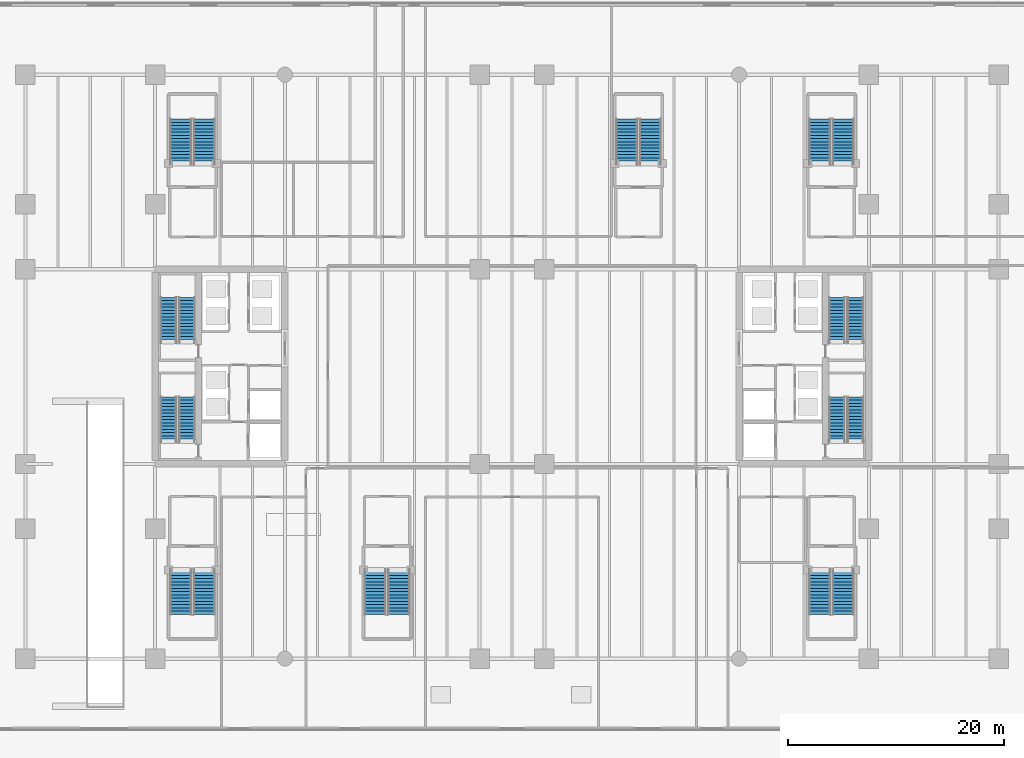
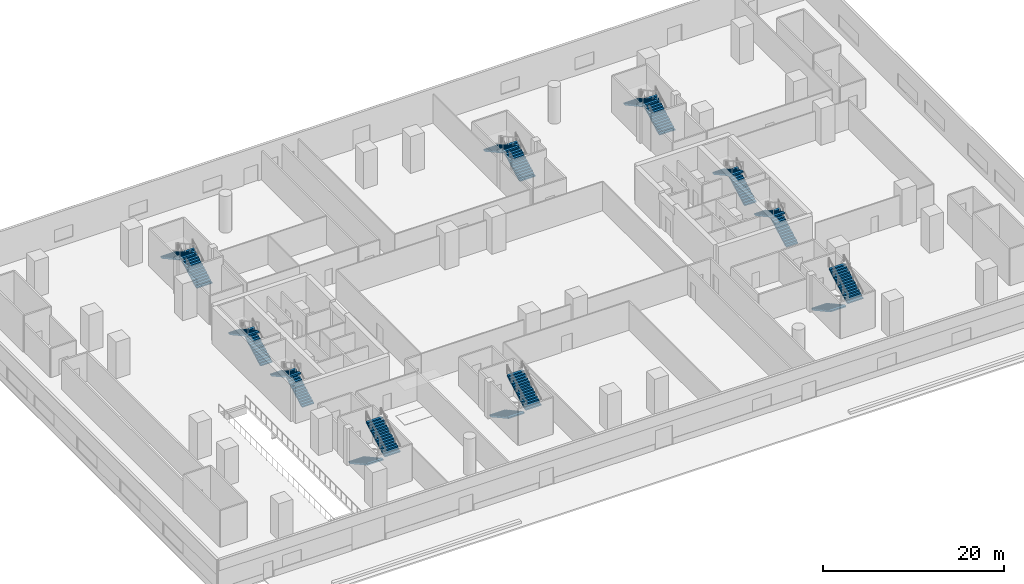
# One storey, part 12 of 25: 20 stair flights, 10 elements without a shape of their own.
"""IFC4 building model written with IfcOpenShell, lengths in metres."""

from ifc_helpers import new_model, si_unit, direction, frame, origin, place, context, subcontext, project, spatial, polyline, outline, extrude, material, type_object, element, aggregate, save


model = new_model("IFC4")

# Units and contexts
model_context = context("Model", 3, precision=1e-05, world=origin(), true_north=direction((0.0, 1.0)))
body_context = subcontext(model_context, "Body", "Model", "MODEL_VIEW")
ifc_project = project(units=[si_unit("LENGTHUNIT", "METRE"), si_unit("AREAUNIT", "SQUARE_METRE"), si_unit("VOLUMEUNIT", "CUBIC_METRE"), si_unit("PLANEANGLEUNIT", "RADIAN"), si_unit("MASSUNIT", "GRAM", prefix="KILO")], contexts=[model_context])

# Site, building, storey
site_placement = place(None, origin())
site = spatial("IfcSite", under=ifc_project, at=site_placement, CompositionType="ELEMENT")
building_placement = place(site_placement, origin())
building = spatial("IfcBuilding", under=site, at=building_placement, Name="Tanjung Sevakor Pilgrim Tower", CompositionType="ELEMENT")
storey_placement = place(building_placement, origin())
storey = spatial("IfcBuildingStorey", under=building, at=storey_placement, Name="L01", CompositionType="ELEMENT", Elevation=0.0)

# Stair, stair flights
ifc_material_1 = material(Name="Concrete C40/50", Category="concrete")
stair_type_1 = type_object("IfcStairType", Name="STAIR-ST-CR150", PredefinedType="HALF_TURN_STAIR", material=ifc_material_1)
stair_1_placement = place(storey_placement, origin())
stair_1 = element("IfcStair", 1, at=stair_1_placement, inside=storey, type_object=stair_type_1, Name="L01 West Core Exit Stair 1", PredefinedType="HALF_TURN_STAIR")
ifc_material_2 = material(Name="Concrete C40/50", Category="concrete")
stair_flight_type_1 = type_object("IfcStairFlightType", Name="FLIGHT-ST-CR150", PredefinedType="STRAIGHT", material=ifc_material_2)
stair_flight_1_placement = place(storey_placement, frame((26.949951171875, 26.60009765625, 0.0), z_axis=(0.0, 0.0, 1.0), x_axis=(0.0, 1.0, 0.0)))
stair_flight_1 = element("IfcStairFlight", 2, at=stair_flight_1_placement, type_object=stair_flight_type_1, Name="TS-W1 flight 1", NumberOfRisers=15, NumberOfTreads=14, PredefinedType="STRAIGHT", RiserHeight=0.165, TreadLength=0.3, context=body_context, shape_type="SweptSolid", body=[
    extrude(outline(polyline([(0.0, 0.0), (0.0, 0.1650390625), (0.300048828125, 0.1650390625), (0.300048828125, 0.330078125), (0.60009765625, 0.330078125), (0.60009765625, 0.4951171875), (0.89990234375, 0.4951171875), (0.89990234375, 0.659912109375), (1.199951171875, 0.659912109375), (1.199951171875, 0.824951171875), (1.5, 0.824951171875), (1.5, 0.989990234375), (1.800048828125, 0.989990234375), (1.800048828125, 1.155029296875), (2.10009765625, 1.155029296875), (2.10009765625, 1.320068359375), (2.39990234375, 1.320068359375), (2.39990234375, 1.485107421875), (2.699951171875, 1.485107421875), (2.699951171875, 1.64990234375), (3.0, 1.64990234375), (3.0, 1.81494140625), (3.300048828125, 1.81494140625), (3.300048828125, 1.97998046875), (3.60009765625, 1.97998046875), (3.60009765625, 2.14501953125), (3.89990234375, 2.14501953125), (3.89990234375, 2.31005859375), (4.199951171875, 2.31005859375), (4.199951171875, 2.47509765625), (4.199951171875, 2.12744140625), (0.331787109375, 0.0), (0.0, 0.0)])), frame((0.0, 0.75, 0.0), z_axis=(0.0, -1.0, 0.0), x_axis=(1.0, 0.0, 0.0)), (0.0, 0.0, 1.0), 1.5),
])
stair_flight_2_placement = place(storey_placement, frame((25.25, 30.800048828125, 2.47509765625), z_axis=(0.0, 0.0, 1.0), x_axis=(0.0, -1.0, 0.0)))
stair_flight_2 = element("IfcStairFlight", 3, at=stair_flight_2_placement, type_object=stair_flight_type_1, Name="TS-W1 flight 2", NumberOfRisers=15, NumberOfTreads=14, PredefinedType="STRAIGHT", RiserHeight=0.165, TreadLength=0.3, context=body_context, shape_type="SweptSolid", body=[
    extrude(outline(polyline([(0.0, 0.0), (0.0, 0.1650390625), (0.300048828125, 0.1650390625), (0.300048828125, 0.330078125), (0.60009765625, 0.330078125), (0.60009765625, 0.4951171875), (0.89990234375, 0.4951171875), (0.89990234375, 0.659912109375), (1.199951171875, 0.659912109375), (1.199951171875, 0.824951171875), (1.5, 0.824951171875), (1.5, 0.989990234375), (1.800048828125, 0.989990234375), (1.800048828125, 1.155029296875), (2.10009765625, 1.155029296875), (2.10009765625, 1.320068359375), (2.39990234375, 1.320068359375), (2.39990234375, 1.485107421875), (2.699951171875, 1.485107421875), (2.699951171875, 1.64990234375), (3.0, 1.64990234375), (3.0, 1.81494140625), (3.300048828125, 1.81494140625), (3.300048828125, 1.97998046875), (3.60009765625, 1.97998046875), (3.60009765625, 2.14501953125), (3.89990234375, 2.14501953125), (3.89990234375, 2.31005859375), (4.199951171875, 2.31005859375), (4.199951171875, 2.47509765625), (4.199951171875, 2.12744140625), (0.331787109375, 0.0), (0.0, 0.0)])), frame((0.0, 0.75, 0.0), z_axis=(0.0, -1.0, 0.0), x_axis=(1.0, 0.0, 0.0)), (0.0, 0.0, 1.0), 1.5),
])
aggregate(stair_1, [stair_flight_1, stair_flight_2])

stair_2_placement = place(storey_placement, origin())
stair_2 = element("IfcStair", 4, at=stair_2_placement, inside=storey, type_object=stair_type_1, Name="L01 West Core Exit Stair 2", PredefinedType="HALF_TURN_STAIR")
stair_flight_3_placement = place(storey_placement, frame((26.949951171875, 35.800048828125, 0.0), z_axis=(0.0, 0.0, 1.0), x_axis=(0.0, 1.0, 0.0)))
stair_flight_3 = element("IfcStairFlight", 5, at=stair_flight_3_placement, type_object=stair_flight_type_1, Name="TS-W2 flight 1", NumberOfRisers=15, NumberOfTreads=14, PredefinedType="STRAIGHT", RiserHeight=0.165, TreadLength=0.3, context=body_context, shape_type="SweptSolid", body=[
    extrude(outline(polyline([(0.0, 0.0), (0.0, 0.1650390625), (0.300048828125, 0.1650390625), (0.300048828125, 0.330078125), (0.60009765625, 0.330078125), (0.60009765625, 0.4951171875), (0.89990234375, 0.4951171875), (0.89990234375, 0.659912109375), (1.199951171875, 0.659912109375), (1.199951171875, 0.824951171875), (1.5, 0.824951171875), (1.5, 0.989990234375), (1.800048828125, 0.989990234375), (1.800048828125, 1.155029296875), (2.10009765625, 1.155029296875), (2.10009765625, 1.320068359375), (2.39990234375, 1.320068359375), (2.39990234375, 1.485107421875), (2.699951171875, 1.485107421875), (2.699951171875, 1.64990234375), (3.0, 1.64990234375), (3.0, 1.81494140625), (3.300048828125, 1.81494140625), (3.300048828125, 1.97998046875), (3.60009765625, 1.97998046875), (3.60009765625, 2.14501953125), (3.89990234375, 2.14501953125), (3.89990234375, 2.31005859375), (4.199951171875, 2.31005859375), (4.199951171875, 2.47509765625), (4.199951171875, 2.12744140625), (0.331787109375, 0.0), (0.0, 0.0)])), frame((0.0, 0.75, 0.0), z_axis=(0.0, -1.0, 0.0), x_axis=(1.0, 0.0, 0.0)), (0.0, 0.0, 1.0), 1.5),
])
stair_flight_4_placement = place(storey_placement, frame((25.25, 40.0, 2.47509765625), z_axis=(0.0, 0.0, 1.0), x_axis=(0.0, -1.0, 0.0)))
stair_flight_4 = element("IfcStairFlight", 6, at=stair_flight_4_placement, type_object=stair_flight_type_1, Name="TS-W2 flight 2", NumberOfRisers=15, NumberOfTreads=14, PredefinedType="STRAIGHT", RiserHeight=0.165, TreadLength=0.3, context=body_context, shape_type="SweptSolid", body=[
    extrude(outline(polyline([(0.0, 0.0), (0.0, 0.1650390625), (0.300048828125, 0.1650390625), (0.300048828125, 0.330078125), (0.60009765625, 0.330078125), (0.60009765625, 0.4951171875), (0.89990234375, 0.4951171875), (0.89990234375, 0.659912109375), (1.199951171875, 0.659912109375), (1.199951171875, 0.824951171875), (1.5, 0.824951171875), (1.5, 0.989990234375), (1.800048828125, 0.989990234375), (1.800048828125, 1.155029296875), (2.10009765625, 1.155029296875), (2.10009765625, 1.320068359375), (2.39990234375, 1.320068359375), (2.39990234375, 1.485107421875), (2.699951171875, 1.485107421875), (2.699951171875, 1.64990234375), (3.0, 1.64990234375), (3.0, 1.81494140625), (3.300048828125, 1.81494140625), (3.300048828125, 1.97998046875), (3.60009765625, 1.97998046875), (3.60009765625, 2.14501953125), (3.89990234375, 2.14501953125), (3.89990234375, 2.31005859375), (4.199951171875, 2.31005859375), (4.199951171875, 2.47509765625), (4.199951171875, 2.12744140625), (0.331787109375, 0.0), (0.0, 0.0)])), frame((0.0, 0.75, 0.0), z_axis=(0.0, -1.0, 0.0), x_axis=(1.0, 0.0, 0.0)), (0.0, 0.0, 1.0), 1.5),
])
aggregate(stair_2, [stair_flight_3, stair_flight_4])

stair_3_placement = place(storey_placement, origin())
stair_3 = element("IfcStair", 7, at=stair_3_placement, inside=storey, type_object=stair_type_1, Name="L01 East Core Exit Stair 1", PredefinedType="HALF_TURN_STAIR")
stair_flight_5_placement = place(storey_placement, frame((88.75, 26.60009765625, 0.0), z_axis=(0.0, 0.0, 1.0), x_axis=(0.0, 1.0, 0.0)))
stair_flight_5 = element("IfcStairFlight", 8, at=stair_flight_5_placement, type_object=stair_flight_type_1, Name="TS-E1 flight 1", NumberOfRisers=15, NumberOfTreads=14, PredefinedType="STRAIGHT", RiserHeight=0.165, TreadLength=0.3, context=body_context, shape_type="SweptSolid", body=[
    extrude(outline(polyline([(0.0, 0.0), (0.0, 0.1650390625), (0.300048828125, 0.1650390625), (0.300048828125, 0.330078125), (0.60009765625, 0.330078125), (0.60009765625, 0.4951171875), (0.89990234375, 0.4951171875), (0.89990234375, 0.659912109375), (1.199951171875, 0.659912109375), (1.199951171875, 0.824951171875), (1.5, 0.824951171875), (1.5, 0.989990234375), (1.800048828125, 0.989990234375), (1.800048828125, 1.155029296875), (2.10009765625, 1.155029296875), (2.10009765625, 1.320068359375), (2.39990234375, 1.320068359375), (2.39990234375, 1.485107421875), (2.699951171875, 1.485107421875), (2.699951171875, 1.64990234375), (3.0, 1.64990234375), (3.0, 1.81494140625), (3.300048828125, 1.81494140625), (3.300048828125, 1.97998046875), (3.60009765625, 1.97998046875), (3.60009765625, 2.14501953125), (3.89990234375, 2.14501953125), (3.89990234375, 2.31005859375), (4.199951171875, 2.31005859375), (4.199951171875, 2.47509765625), (4.199951171875, 2.12744140625), (0.331787109375, 0.0), (0.0, 0.0)])), frame((0.0, 0.75, 0.0), z_axis=(0.0, -1.0, 0.0), x_axis=(1.0, 0.0, 0.0)), (0.0, 0.0, 1.0), 1.5),
])
stair_flight_6_placement = place(storey_placement, frame((87.050048828125, 30.800048828125, 2.47509765625), z_axis=(0.0, 0.0, 1.0), x_axis=(0.0, -1.0, 0.0)))
stair_flight_6 = element("IfcStairFlight", 9, at=stair_flight_6_placement, type_object=stair_flight_type_1, Name="TS-E1 flight 2", NumberOfRisers=15, NumberOfTreads=14, PredefinedType="STRAIGHT", RiserHeight=0.165, TreadLength=0.3, context=body_context, shape_type="SweptSolid", body=[
    extrude(outline(polyline([(0.0, 0.0), (0.0, 0.1650390625), (0.300048828125, 0.1650390625), (0.300048828125, 0.330078125), (0.60009765625, 0.330078125), (0.60009765625, 0.4951171875), (0.89990234375, 0.4951171875), (0.89990234375, 0.659912109375), (1.199951171875, 0.659912109375), (1.199951171875, 0.824951171875), (1.5, 0.824951171875), (1.5, 0.989990234375), (1.800048828125, 0.989990234375), (1.800048828125, 1.155029296875), (2.10009765625, 1.155029296875), (2.10009765625, 1.320068359375), (2.39990234375, 1.320068359375), (2.39990234375, 1.485107421875), (2.699951171875, 1.485107421875), (2.699951171875, 1.64990234375), (3.0, 1.64990234375), (3.0, 1.81494140625), (3.300048828125, 1.81494140625), (3.300048828125, 1.97998046875), (3.60009765625, 1.97998046875), (3.60009765625, 2.14501953125), (3.89990234375, 2.14501953125), (3.89990234375, 2.31005859375), (4.199951171875, 2.31005859375), (4.199951171875, 2.47509765625), (4.199951171875, 2.12744140625), (0.331787109375, 0.0), (0.0, 0.0)])), frame((0.0, 0.75, 0.0), z_axis=(0.0, -1.0, 0.0), x_axis=(1.0, 0.0, 0.0)), (0.0, 0.0, 1.0), 1.5),
])
aggregate(stair_3, [stair_flight_5, stair_flight_6])

stair_4_placement = place(storey_placement, origin())
stair_4 = element("IfcStair", 10, at=stair_4_placement, inside=storey, type_object=stair_type_1, Name="L01 East Core Exit Stair 2", PredefinedType="HALF_TURN_STAIR")
stair_flight_7_placement = place(storey_placement, frame((88.75, 35.800048828125, 0.0), z_axis=(0.0, 0.0, 1.0), x_axis=(0.0, 1.0, 0.0)))
stair_flight_7 = element("IfcStairFlight", 11, at=stair_flight_7_placement, type_object=stair_flight_type_1, Name="TS-E2 flight 1", NumberOfRisers=15, NumberOfTreads=14, PredefinedType="STRAIGHT", RiserHeight=0.165, TreadLength=0.3, context=body_context, shape_type="SweptSolid", body=[
    extrude(outline(polyline([(0.0, 0.0), (0.0, 0.1650390625), (0.300048828125, 0.1650390625), (0.300048828125, 0.330078125), (0.60009765625, 0.330078125), (0.60009765625, 0.4951171875), (0.89990234375, 0.4951171875), (0.89990234375, 0.659912109375), (1.199951171875, 0.659912109375), (1.199951171875, 0.824951171875), (1.5, 0.824951171875), (1.5, 0.989990234375), (1.800048828125, 0.989990234375), (1.800048828125, 1.155029296875), (2.10009765625, 1.155029296875), (2.10009765625, 1.320068359375), (2.39990234375, 1.320068359375), (2.39990234375, 1.485107421875), (2.699951171875, 1.485107421875), (2.699951171875, 1.64990234375), (3.0, 1.64990234375), (3.0, 1.81494140625), (3.300048828125, 1.81494140625), (3.300048828125, 1.97998046875), (3.60009765625, 1.97998046875), (3.60009765625, 2.14501953125), (3.89990234375, 2.14501953125), (3.89990234375, 2.31005859375), (4.199951171875, 2.31005859375), (4.199951171875, 2.47509765625), (4.199951171875, 2.12744140625), (0.331787109375, 0.0), (0.0, 0.0)])), frame((0.0, 0.75, 0.0), z_axis=(0.0, -1.0, 0.0), x_axis=(1.0, 0.0, 0.0)), (0.0, 0.0, 1.0), 1.5),
])
stair_flight_8_placement = place(storey_placement, frame((87.050048828125, 40.0, 2.47509765625), z_axis=(0.0, 0.0, 1.0), x_axis=(0.0, -1.0, 0.0)))
stair_flight_8 = element("IfcStairFlight", 12, at=stair_flight_8_placement, type_object=stair_flight_type_1, Name="TS-E2 flight 2", NumberOfRisers=15, NumberOfTreads=14, PredefinedType="STRAIGHT", RiserHeight=0.165, TreadLength=0.3, context=body_context, shape_type="SweptSolid", body=[
    extrude(outline(polyline([(0.0, 0.0), (0.0, 0.1650390625), (0.300048828125, 0.1650390625), (0.300048828125, 0.330078125), (0.60009765625, 0.330078125), (0.60009765625, 0.4951171875), (0.89990234375, 0.4951171875), (0.89990234375, 0.659912109375), (1.199951171875, 0.659912109375), (1.199951171875, 0.824951171875), (1.5, 0.824951171875), (1.5, 0.989990234375), (1.800048828125, 0.989990234375), (1.800048828125, 1.155029296875), (2.10009765625, 1.155029296875), (2.10009765625, 1.320068359375), (2.39990234375, 1.320068359375), (2.39990234375, 1.485107421875), (2.699951171875, 1.485107421875), (2.699951171875, 1.64990234375), (3.0, 1.64990234375), (3.0, 1.81494140625), (3.300048828125, 1.81494140625), (3.300048828125, 1.97998046875), (3.60009765625, 1.97998046875), (3.60009765625, 2.14501953125), (3.89990234375, 2.14501953125), (3.89990234375, 2.31005859375), (4.199951171875, 2.31005859375), (4.199951171875, 2.47509765625), (4.199951171875, 2.12744140625), (0.331787109375, 0.0), (0.0, 0.0)])), frame((0.0, 0.75, 0.0), z_axis=(0.0, -1.0, 0.0), x_axis=(1.0, 0.0, 0.0)), (0.0, 0.0, 1.0), 1.5),
])
aggregate(stair_4, [stair_flight_7, stair_flight_8])

ifc_material_3 = material(Name="Concrete C40/50", Category="concrete")
stair_type_2 = type_object("IfcStairType", Name="STAIR-ST-PD200", PredefinedType="HALF_TURN_STAIR", material=ifc_material_3)
stair_5_placement = place(storey_placement, origin())
stair_5 = element("IfcStair", 13, at=stair_5_placement, inside=storey, type_object=stair_type_2, Name="L01 Podium South-West Assembly Stair", PredefinedType="HALF_TURN_STAIR")
ifc_material_4 = material(Name="Concrete C40/50", Category="concrete")
stair_flight_type_2 = type_object("IfcStairFlightType", Name="FLIGHT-ST-PD200", PredefinedType="STRAIGHT", material=ifc_material_4)
stair_flight_9_placement = place(storey_placement, frame((26.35009765625, 14.89990234375, 0.0), z_axis=(0.0, 0.0, 1.0), x_axis=(0.0, -1.0, 0.0)))
stair_flight_9 = element("IfcStairFlight", 14, at=stair_flight_9_placement, type_object=stair_flight_type_2, Name="PS-1 flight 1", NumberOfRisers=15, NumberOfTreads=14, PredefinedType="STRAIGHT", RiserHeight=0.165, TreadLength=0.3, context=body_context, shape_type="SweptSolid", body=[
    extrude(outline(polyline([(0.0, 0.0), (0.0, 0.1650390625), (0.300048828125, 0.1650390625), (0.300048828125, 0.330078125), (0.60009765625, 0.330078125), (0.60009765625, 0.4951171875), (0.89990234375, 0.4951171875), (0.89990234375, 0.659912109375), (1.199951171875, 0.659912109375), (1.199951171875, 0.824951171875), (1.5, 0.824951171875), (1.5, 0.989990234375), (1.800048828125, 0.989990234375), (1.800048828125, 1.155029296875), (2.10009765625, 1.155029296875), (2.10009765625, 1.320068359375), (2.39990234375, 1.320068359375), (2.39990234375, 1.485107421875), (2.699951171875, 1.485107421875), (2.699951171875, 1.64990234375), (3.0, 1.64990234375), (3.0, 1.81494140625), (3.300048828125, 1.81494140625), (3.300048828125, 1.97998046875), (3.60009765625, 1.97998046875), (3.60009765625, 2.14501953125), (3.89990234375, 2.14501953125), (3.89990234375, 2.31005859375), (4.199951171875, 2.31005859375), (4.199951171875, 2.47509765625), (4.199951171875, 2.12744140625), (0.331787109375, 0.0), (0.0, 0.0)])), frame((0.0, 1.0, 0.0), z_axis=(0.0, -1.0, 0.0), x_axis=(1.0, 0.0, 0.0)), (0.0, 0.0, 1.0), 2.0),
])
stair_flight_10_placement = place(storey_placement, frame((28.550048828125, 10.699951171875, 2.47509765625), z_axis=(0.0, 0.0, 1.0), x_axis=(0.0, 1.0, 0.0)))
stair_flight_10 = element("IfcStairFlight", 15, at=stair_flight_10_placement, type_object=stair_flight_type_2, Name="PS-1 flight 2", NumberOfRisers=15, NumberOfTreads=14, PredefinedType="STRAIGHT", RiserHeight=0.165, TreadLength=0.3, context=body_context, shape_type="SweptSolid", body=[
    extrude(outline(polyline([(0.0, 0.0), (0.0, 0.1650390625), (0.300048828125, 0.1650390625), (0.300048828125, 0.330078125), (0.60009765625, 0.330078125), (0.60009765625, 0.4951171875), (0.89990234375, 0.4951171875), (0.89990234375, 0.659912109375), (1.199951171875, 0.659912109375), (1.199951171875, 0.824951171875), (1.5, 0.824951171875), (1.5, 0.989990234375), (1.800048828125, 0.989990234375), (1.800048828125, 1.155029296875), (2.10009765625, 1.155029296875), (2.10009765625, 1.320068359375), (2.39990234375, 1.320068359375), (2.39990234375, 1.485107421875), (2.699951171875, 1.485107421875), (2.699951171875, 1.64990234375), (3.0, 1.64990234375), (3.0, 1.81494140625), (3.300048828125, 1.81494140625), (3.300048828125, 1.97998046875), (3.60009765625, 1.97998046875), (3.60009765625, 2.14501953125), (3.89990234375, 2.14501953125), (3.89990234375, 2.31005859375), (4.199951171875, 2.31005859375), (4.199951171875, 2.47509765625), (4.199951171875, 2.12744140625), (0.331787109375, 0.0), (0.0, 0.0)])), frame((0.0, 1.0, 0.0), z_axis=(0.0, -1.0, 0.0), x_axis=(1.0, 0.0, 0.0)), (0.0, 0.0, 1.0), 2.0),
])
aggregate(stair_5, [stair_flight_9, stair_flight_10])

stair_6_placement = place(storey_placement, origin())
stair_6 = element("IfcStair", 16, at=stair_6_placement, inside=storey, type_object=stair_type_2, Name="L01 Podium North-West Assembly Stair", PredefinedType="HALF_TURN_STAIR")
stair_flight_11_placement = place(storey_placement, frame((28.550048828125, 52.300048828125, 0.0), z_axis=(0.0, 0.0, 1.0), x_axis=(0.0, 1.0, 0.0)))
stair_flight_11 = element("IfcStairFlight", 17, at=stair_flight_11_placement, type_object=stair_flight_type_2, Name="PS-2 flight 1", NumberOfRisers=15, NumberOfTreads=14, PredefinedType="STRAIGHT", RiserHeight=0.165, TreadLength=0.3, context=body_context, shape_type="SweptSolid", body=[
    extrude(outline(polyline([(0.0, 0.0), (0.0, 0.1650390625), (0.300048828125, 0.1650390625), (0.300048828125, 0.330078125), (0.60009765625, 0.330078125), (0.60009765625, 0.4951171875), (0.89990234375, 0.4951171875), (0.89990234375, 0.659912109375), (1.199951171875, 0.659912109375), (1.199951171875, 0.824951171875), (1.5, 0.824951171875), (1.5, 0.989990234375), (1.800048828125, 0.989990234375), (1.800048828125, 1.155029296875), (2.10009765625, 1.155029296875), (2.10009765625, 1.320068359375), (2.39990234375, 1.320068359375), (2.39990234375, 1.485107421875), (2.699951171875, 1.485107421875), (2.699951171875, 1.64990234375), (3.0, 1.64990234375), (3.0, 1.81494140625), (3.300048828125, 1.81494140625), (3.300048828125, 1.97998046875), (3.60009765625, 1.97998046875), (3.60009765625, 2.14501953125), (3.89990234375, 2.14501953125), (3.89990234375, 2.31005859375), (4.199951171875, 2.31005859375), (4.199951171875, 2.47509765625), (4.199951171875, 2.12744140625), (0.331787109375, 0.0), (0.0, 0.0)])), frame((0.0, 1.0, 0.0), z_axis=(0.0, -1.0, 0.0), x_axis=(1.0, 0.0, 0.0)), (0.0, 0.0, 1.0), 2.0),
])
stair_flight_12_placement = place(storey_placement, frame((26.35009765625, 56.5, 2.47509765625), z_axis=(0.0, 0.0, 1.0), x_axis=(0.0, -1.0, 0.0)))
stair_flight_12 = element("IfcStairFlight", 18, at=stair_flight_12_placement, type_object=stair_flight_type_2, Name="PS-2 flight 2", NumberOfRisers=15, NumberOfTreads=14, PredefinedType="STRAIGHT", RiserHeight=0.165, TreadLength=0.3, context=body_context, shape_type="SweptSolid", body=[
    extrude(outline(polyline([(0.0, 0.0), (0.0, 0.1650390625), (0.300048828125, 0.1650390625), (0.300048828125, 0.330078125), (0.60009765625, 0.330078125), (0.60009765625, 0.4951171875), (0.89990234375, 0.4951171875), (0.89990234375, 0.659912109375), (1.199951171875, 0.659912109375), (1.199951171875, 0.824951171875), (1.5, 0.824951171875), (1.5, 0.989990234375), (1.800048828125, 0.989990234375), (1.800048828125, 1.155029296875), (2.10009765625, 1.155029296875), (2.10009765625, 1.320068359375), (2.39990234375, 1.320068359375), (2.39990234375, 1.485107421875), (2.699951171875, 1.485107421875), (2.699951171875, 1.64990234375), (3.0, 1.64990234375), (3.0, 1.81494140625), (3.300048828125, 1.81494140625), (3.300048828125, 1.97998046875), (3.60009765625, 1.97998046875), (3.60009765625, 2.14501953125), (3.89990234375, 2.14501953125), (3.89990234375, 2.31005859375), (4.199951171875, 2.31005859375), (4.199951171875, 2.47509765625), (4.199951171875, 2.12744140625), (0.331787109375, 0.0), (0.0, 0.0)])), frame((0.0, 1.0, 0.0), z_axis=(0.0, -1.0, 0.0), x_axis=(1.0, 0.0, 0.0)), (0.0, 0.0, 1.0), 2.0),
])
aggregate(stair_6, [stair_flight_11, stair_flight_12])

stair_7_placement = place(storey_placement, origin())
stair_7 = element("IfcStair", 19, at=stair_7_placement, inside=storey, type_object=stair_type_2, Name="L01 Podium South-Central Assembly Stair", PredefinedType="HALF_TURN_STAIR")
stair_flight_13_placement = place(storey_placement, frame((44.35009765625, 14.89990234375, 0.0), z_axis=(0.0, 0.0, 1.0), x_axis=(0.0, -1.0, 0.0)))
stair_flight_13 = element("IfcStairFlight", 20, at=stair_flight_13_placement, type_object=stair_flight_type_2, Name="PS-3 flight 1", NumberOfRisers=15, NumberOfTreads=14, PredefinedType="STRAIGHT", RiserHeight=0.165, TreadLength=0.3, context=body_context, shape_type="SweptSolid", body=[
    extrude(outline(polyline([(0.0, 0.0), (0.0, 0.1650390625), (0.300048828125, 0.1650390625), (0.300048828125, 0.330078125), (0.60009765625, 0.330078125), (0.60009765625, 0.4951171875), (0.89990234375, 0.4951171875), (0.89990234375, 0.659912109375), (1.199951171875, 0.659912109375), (1.199951171875, 0.824951171875), (1.5, 0.824951171875), (1.5, 0.989990234375), (1.800048828125, 0.989990234375), (1.800048828125, 1.155029296875), (2.10009765625, 1.155029296875), (2.10009765625, 1.320068359375), (2.39990234375, 1.320068359375), (2.39990234375, 1.485107421875), (2.699951171875, 1.485107421875), (2.699951171875, 1.64990234375), (3.0, 1.64990234375), (3.0, 1.81494140625), (3.300048828125, 1.81494140625), (3.300048828125, 1.97998046875), (3.60009765625, 1.97998046875), (3.60009765625, 2.14501953125), (3.89990234375, 2.14501953125), (3.89990234375, 2.31005859375), (4.199951171875, 2.31005859375), (4.199951171875, 2.47509765625), (4.199951171875, 2.12744140625), (0.331787109375, 0.0), (0.0, 0.0)])), frame((0.0, 1.0, 0.0), z_axis=(0.0, -1.0, 0.0), x_axis=(1.0, 0.0, 0.0)), (0.0, 0.0, 1.0), 2.0),
])
stair_flight_14_placement = place(storey_placement, frame((46.550048828125, 10.699951171875, 2.47509765625), z_axis=(0.0, 0.0, 1.0), x_axis=(0.0, 1.0, 0.0)))
stair_flight_14 = element("IfcStairFlight", 21, at=stair_flight_14_placement, type_object=stair_flight_type_2, Name="PS-3 flight 2", NumberOfRisers=15, NumberOfTreads=14, PredefinedType="STRAIGHT", RiserHeight=0.165, TreadLength=0.3, context=body_context, shape_type="SweptSolid", body=[
    extrude(outline(polyline([(0.0, 0.0), (0.0, 0.1650390625), (0.300048828125, 0.1650390625), (0.300048828125, 0.330078125), (0.60009765625, 0.330078125), (0.60009765625, 0.4951171875), (0.89990234375, 0.4951171875), (0.89990234375, 0.659912109375), (1.199951171875, 0.659912109375), (1.199951171875, 0.824951171875), (1.5, 0.824951171875), (1.5, 0.989990234375), (1.800048828125, 0.989990234375), (1.800048828125, 1.155029296875), (2.10009765625, 1.155029296875), (2.10009765625, 1.320068359375), (2.39990234375, 1.320068359375), (2.39990234375, 1.485107421875), (2.699951171875, 1.485107421875), (2.699951171875, 1.64990234375), (3.0, 1.64990234375), (3.0, 1.81494140625), (3.300048828125, 1.81494140625), (3.300048828125, 1.97998046875), (3.60009765625, 1.97998046875), (3.60009765625, 2.14501953125), (3.89990234375, 2.14501953125), (3.89990234375, 2.31005859375), (4.199951171875, 2.31005859375), (4.199951171875, 2.47509765625), (4.199951171875, 2.12744140625), (0.331787109375, 0.0), (0.0, 0.0)])), frame((0.0, 1.0, 0.0), z_axis=(0.0, -1.0, 0.0), x_axis=(1.0, 0.0, 0.0)), (0.0, 0.0, 1.0), 2.0),
])
aggregate(stair_7, [stair_flight_13, stair_flight_14])

stair_8_placement = place(storey_placement, origin())
stair_8 = element("IfcStair", 22, at=stair_8_placement, inside=storey, type_object=stair_type_2, Name="L01 Podium North-Central Assembly Stair", PredefinedType="HALF_TURN_STAIR")
stair_flight_15_placement = place(storey_placement, frame((69.800048828125, 52.300048828125, 0.0), z_axis=(0.0, 0.0, 1.0), x_axis=(0.0, 1.0, 0.0)))
stair_flight_15 = element("IfcStairFlight", 23, at=stair_flight_15_placement, type_object=stair_flight_type_2, Name="PS-4 flight 1", NumberOfRisers=15, NumberOfTreads=14, PredefinedType="STRAIGHT", RiserHeight=0.165, TreadLength=0.3, context=body_context, shape_type="SweptSolid", body=[
    extrude(outline(polyline([(0.0, 0.0), (0.0, 0.1650390625), (0.300048828125, 0.1650390625), (0.300048828125, 0.330078125), (0.60009765625, 0.330078125), (0.60009765625, 0.4951171875), (0.89990234375, 0.4951171875), (0.89990234375, 0.659912109375), (1.199951171875, 0.659912109375), (1.199951171875, 0.824951171875), (1.5, 0.824951171875), (1.5, 0.989990234375), (1.800048828125, 0.989990234375), (1.800048828125, 1.155029296875), (2.10009765625, 1.155029296875), (2.10009765625, 1.320068359375), (2.39990234375, 1.320068359375), (2.39990234375, 1.485107421875), (2.699951171875, 1.485107421875), (2.699951171875, 1.64990234375), (3.0, 1.64990234375), (3.0, 1.81494140625), (3.300048828125, 1.81494140625), (3.300048828125, 1.97998046875), (3.60009765625, 1.97998046875), (3.60009765625, 2.14501953125), (3.89990234375, 2.14501953125), (3.89990234375, 2.31005859375), (4.199951171875, 2.31005859375), (4.199951171875, 2.47509765625), (4.199951171875, 2.12744140625), (0.331787109375, 0.0), (0.0, 0.0)])), frame((0.0, 1.0, 0.0), z_axis=(0.0, -1.0, 0.0), x_axis=(1.0, 0.0, 0.0)), (0.0, 0.0, 1.0), 2.0),
])
stair_flight_16_placement = place(storey_placement, frame((67.60009765625, 56.5, 2.47509765625), z_axis=(0.0, 0.0, 1.0), x_axis=(0.0, -1.0, 0.0)))
stair_flight_16 = element("IfcStairFlight", 24, at=stair_flight_16_placement, type_object=stair_flight_type_2, Name="PS-4 flight 2", NumberOfRisers=15, NumberOfTreads=14, PredefinedType="STRAIGHT", RiserHeight=0.165, TreadLength=0.3, context=body_context, shape_type="SweptSolid", body=[
    extrude(outline(polyline([(0.0, 0.0), (0.0, 0.1650390625), (0.300048828125, 0.1650390625), (0.300048828125, 0.330078125), (0.60009765625, 0.330078125), (0.60009765625, 0.4951171875), (0.89990234375, 0.4951171875), (0.89990234375, 0.659912109375), (1.199951171875, 0.659912109375), (1.199951171875, 0.824951171875), (1.5, 0.824951171875), (1.5, 0.989990234375), (1.800048828125, 0.989990234375), (1.800048828125, 1.155029296875), (2.10009765625, 1.155029296875), (2.10009765625, 1.320068359375), (2.39990234375, 1.320068359375), (2.39990234375, 1.485107421875), (2.699951171875, 1.485107421875), (2.699951171875, 1.64990234375), (3.0, 1.64990234375), (3.0, 1.81494140625), (3.300048828125, 1.81494140625), (3.300048828125, 1.97998046875), (3.60009765625, 1.97998046875), (3.60009765625, 2.14501953125), (3.89990234375, 2.14501953125), (3.89990234375, 2.31005859375), (4.199951171875, 2.31005859375), (4.199951171875, 2.47509765625), (4.199951171875, 2.12744140625), (0.331787109375, 0.0), (0.0, 0.0)])), frame((0.0, 1.0, 0.0), z_axis=(0.0, -1.0, 0.0), x_axis=(1.0, 0.0, 0.0)), (0.0, 0.0, 1.0), 2.0),
])
aggregate(stair_8, [stair_flight_15, stair_flight_16])

stair_9_placement = place(storey_placement, origin())
stair_9 = element("IfcStair", 25, at=stair_9_placement, inside=storey, type_object=stair_type_2, Name="L01 Podium South-East Assembly Stair", PredefinedType="HALF_TURN_STAIR")
stair_flight_17_placement = place(storey_placement, frame((85.449951171875, 14.89990234375, 0.0), z_axis=(0.0, 0.0, 1.0), x_axis=(0.0, -1.0, 0.0)))
stair_flight_17 = element("IfcStairFlight", 26, at=stair_flight_17_placement, type_object=stair_flight_type_2, Name="PS-5 flight 1", NumberOfRisers=15, NumberOfTreads=14, PredefinedType="STRAIGHT", RiserHeight=0.165, TreadLength=0.3, context=body_context, shape_type="SweptSolid", body=[
    extrude(outline(polyline([(0.0, 0.0), (0.0, 0.1650390625), (0.300048828125, 0.1650390625), (0.300048828125, 0.330078125), (0.60009765625, 0.330078125), (0.60009765625, 0.4951171875), (0.89990234375, 0.4951171875), (0.89990234375, 0.659912109375), (1.199951171875, 0.659912109375), (1.199951171875, 0.824951171875), (1.5, 0.824951171875), (1.5, 0.989990234375), (1.800048828125, 0.989990234375), (1.800048828125, 1.155029296875), (2.10009765625, 1.155029296875), (2.10009765625, 1.320068359375), (2.39990234375, 1.320068359375), (2.39990234375, 1.485107421875), (2.699951171875, 1.485107421875), (2.699951171875, 1.64990234375), (3.0, 1.64990234375), (3.0, 1.81494140625), (3.300048828125, 1.81494140625), (3.300048828125, 1.97998046875), (3.60009765625, 1.97998046875), (3.60009765625, 2.14501953125), (3.89990234375, 2.14501953125), (3.89990234375, 2.31005859375), (4.199951171875, 2.31005859375), (4.199951171875, 2.47509765625), (4.199951171875, 2.12744140625), (0.331787109375, 0.0), (0.0, 0.0)])), frame((0.0, 1.0, 0.0), z_axis=(0.0, -1.0, 0.0), x_axis=(1.0, 0.0, 0.0)), (0.0, 0.0, 1.0), 2.0),
])
stair_flight_18_placement = place(storey_placement, frame((87.64990234375, 10.699951171875, 2.47509765625), z_axis=(0.0, 0.0, 1.0), x_axis=(0.0, 1.0, 0.0)))
stair_flight_18 = element("IfcStairFlight", 27, at=stair_flight_18_placement, type_object=stair_flight_type_2, Name="PS-5 flight 2", NumberOfRisers=15, NumberOfTreads=14, PredefinedType="STRAIGHT", RiserHeight=0.165, TreadLength=0.3, context=body_context, shape_type="SweptSolid", body=[
    extrude(outline(polyline([(0.0, 0.0), (0.0, 0.1650390625), (0.300048828125, 0.1650390625), (0.300048828125, 0.330078125), (0.60009765625, 0.330078125), (0.60009765625, 0.4951171875), (0.89990234375, 0.4951171875), (0.89990234375, 0.659912109375), (1.199951171875, 0.659912109375), (1.199951171875, 0.824951171875), (1.5, 0.824951171875), (1.5, 0.989990234375), (1.800048828125, 0.989990234375), (1.800048828125, 1.155029296875), (2.10009765625, 1.155029296875), (2.10009765625, 1.320068359375), (2.39990234375, 1.320068359375), (2.39990234375, 1.485107421875), (2.699951171875, 1.485107421875), (2.699951171875, 1.64990234375), (3.0, 1.64990234375), (3.0, 1.81494140625), (3.300048828125, 1.81494140625), (3.300048828125, 1.97998046875), (3.60009765625, 1.97998046875), (3.60009765625, 2.14501953125), (3.89990234375, 2.14501953125), (3.89990234375, 2.31005859375), (4.199951171875, 2.31005859375), (4.199951171875, 2.47509765625), (4.199951171875, 2.12744140625), (0.331787109375, 0.0), (0.0, 0.0)])), frame((0.0, 1.0, 0.0), z_axis=(0.0, -1.0, 0.0), x_axis=(1.0, 0.0, 0.0)), (0.0, 0.0, 1.0), 2.0),
])
aggregate(stair_9, [stair_flight_17, stair_flight_18])

stair_10_placement = place(storey_placement, origin())
stair_10 = element("IfcStair", 28, at=stair_10_placement, inside=storey, type_object=stair_type_2, Name="L01 Podium North-East Assembly Stair", PredefinedType="HALF_TURN_STAIR")
stair_flight_19_placement = place(storey_placement, frame((87.64990234375, 52.300048828125, 0.0), z_axis=(0.0, 0.0, 1.0), x_axis=(0.0, 1.0, 0.0)))
stair_flight_19 = element("IfcStairFlight", 29, at=stair_flight_19_placement, type_object=stair_flight_type_2, Name="PS-6 flight 1", NumberOfRisers=15, NumberOfTreads=14, PredefinedType="STRAIGHT", RiserHeight=0.165, TreadLength=0.3, context=body_context, shape_type="SweptSolid", body=[
    extrude(outline(polyline([(0.0, 0.0), (0.0, 0.1650390625), (0.300048828125, 0.1650390625), (0.300048828125, 0.330078125), (0.60009765625, 0.330078125), (0.60009765625, 0.4951171875), (0.89990234375, 0.4951171875), (0.89990234375, 0.659912109375), (1.199951171875, 0.659912109375), (1.199951171875, 0.824951171875), (1.5, 0.824951171875), (1.5, 0.989990234375), (1.800048828125, 0.989990234375), (1.800048828125, 1.155029296875), (2.10009765625, 1.155029296875), (2.10009765625, 1.320068359375), (2.39990234375, 1.320068359375), (2.39990234375, 1.485107421875), (2.699951171875, 1.485107421875), (2.699951171875, 1.64990234375), (3.0, 1.64990234375), (3.0, 1.81494140625), (3.300048828125, 1.81494140625), (3.300048828125, 1.97998046875), (3.60009765625, 1.97998046875), (3.60009765625, 2.14501953125), (3.89990234375, 2.14501953125), (3.89990234375, 2.31005859375), (4.199951171875, 2.31005859375), (4.199951171875, 2.47509765625), (4.199951171875, 2.12744140625), (0.331787109375, 0.0), (0.0, 0.0)])), frame((0.0, 1.0, 0.0), z_axis=(0.0, -1.0, 0.0), x_axis=(1.0, 0.0, 0.0)), (0.0, 0.0, 1.0), 2.0),
])
stair_flight_20_placement = place(storey_placement, frame((85.449951171875, 56.5, 2.47509765625), z_axis=(0.0, 0.0, 1.0), x_axis=(0.0, -1.0, 0.0)))
stair_flight_20 = element("IfcStairFlight", 30, at=stair_flight_20_placement, type_object=stair_flight_type_2, Name="PS-6 flight 2", NumberOfRisers=15, NumberOfTreads=14, PredefinedType="STRAIGHT", RiserHeight=0.165, TreadLength=0.3, context=body_context, shape_type="SweptSolid", body=[
    extrude(outline(polyline([(0.0, 0.0), (0.0, 0.1650390625), (0.300048828125, 0.1650390625), (0.300048828125, 0.330078125), (0.60009765625, 0.330078125), (0.60009765625, 0.4951171875), (0.89990234375, 0.4951171875), (0.89990234375, 0.659912109375), (1.199951171875, 0.659912109375), (1.199951171875, 0.824951171875), (1.5, 0.824951171875), (1.5, 0.989990234375), (1.800048828125, 0.989990234375), (1.800048828125, 1.155029296875), (2.10009765625, 1.155029296875), (2.10009765625, 1.320068359375), (2.39990234375, 1.320068359375), (2.39990234375, 1.485107421875), (2.699951171875, 1.485107421875), (2.699951171875, 1.64990234375), (3.0, 1.64990234375), (3.0, 1.81494140625), (3.300048828125, 1.81494140625), (3.300048828125, 1.97998046875), (3.60009765625, 1.97998046875), (3.60009765625, 2.14501953125), (3.89990234375, 2.14501953125), (3.89990234375, 2.31005859375), (4.199951171875, 2.31005859375), (4.199951171875, 2.47509765625), (4.199951171875, 2.12744140625), (0.331787109375, 0.0), (0.0, 0.0)])), frame((0.0, 1.0, 0.0), z_axis=(0.0, -1.0, 0.0), x_axis=(1.0, 0.0, 0.0)), (0.0, 0.0, 1.0), 2.0),
])
aggregate(stair_10, [stair_flight_19, stair_flight_20])

save(model, "model.ifc")
